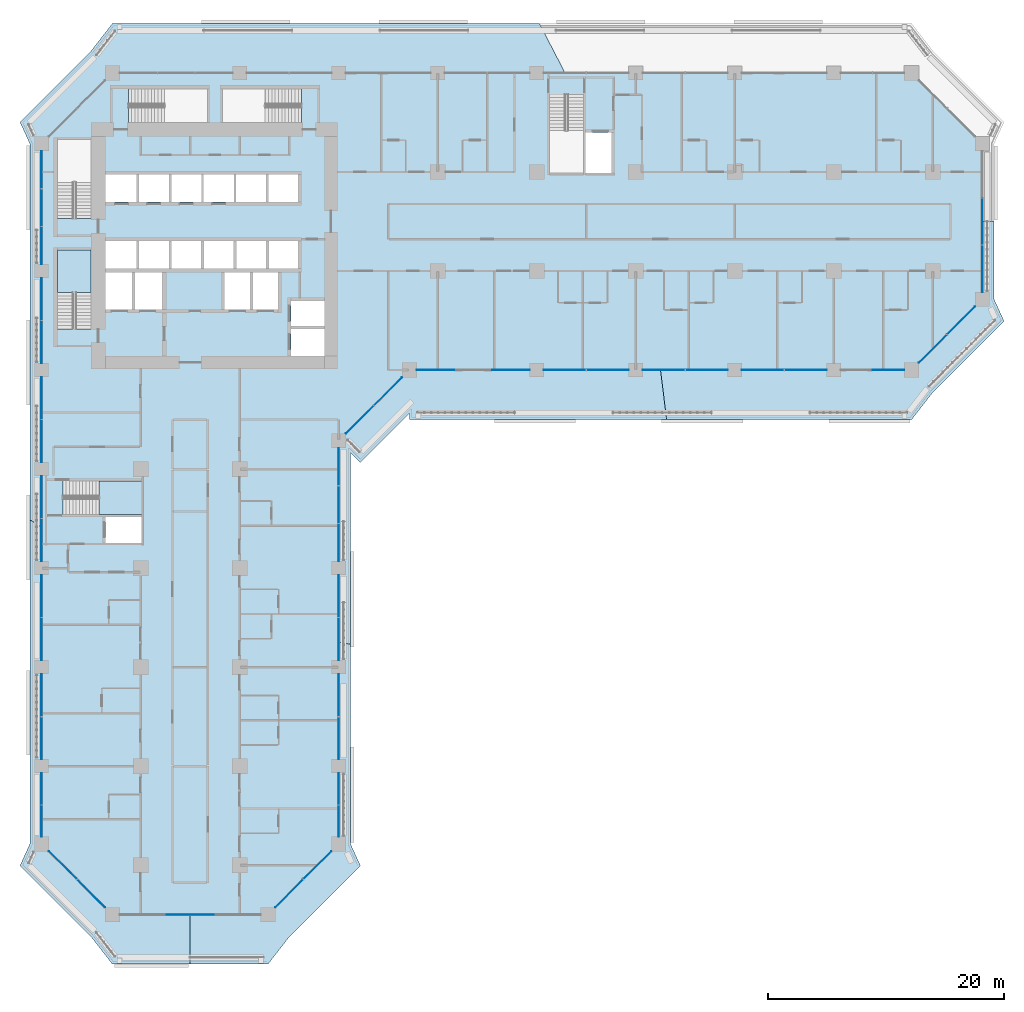
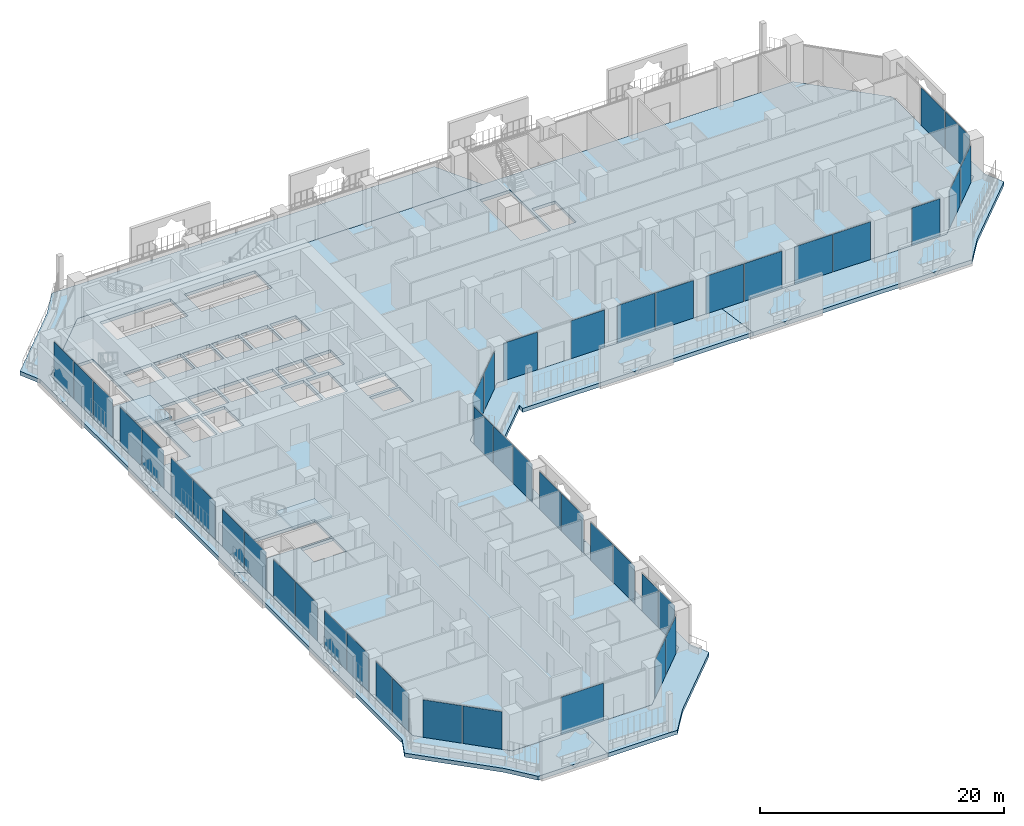
# One storey, part 11 of 28: 44 plates, 8 slabs, 11 elements without a shape of their own.
"""IFC4 building model written with IfcOpenShell, lengths in metres."""

from ifc_helpers import new_model, si_unit, direction, frame, origin, origin_2d, place, context, subcontext, project, spatial, polyline, rectangle, outline, extrude, material, layer, layer_set, type_object, element, aggregate, save


model = new_model("IFC4")

# Units and contexts
model_context = context("Model", 3, precision=1e-05, world=origin(), true_north=direction((0.0, 1.0)))
body_context = subcontext(model_context, "Body", "Model", "MODEL_VIEW")
ifc_project = project(units=[si_unit("LENGTHUNIT", "METRE"), si_unit("AREAUNIT", "SQUARE_METRE"), si_unit("VOLUMEUNIT", "CUBIC_METRE"), si_unit("PLANEANGLEUNIT", "RADIAN"), si_unit("MASSUNIT", "GRAM", prefix="KILO")], contexts=[model_context])

# Site, building, storey
site_placement = place(None, origin())
site = spatial("IfcSite", under=ifc_project, at=site_placement, CompositionType="ELEMENT")
building_placement = place(site_placement, origin())
building = spatial("IfcBuilding", under=site, at=building_placement, Name="Kawkab Arch Medical Tower", CompositionType="ELEMENT")
storey_placement = place(building_placement, frame((0.0, 0.0, 81.199951171875)))
storey = spatial("IfcBuildingStorey", under=building, at=storey_placement, Name="L18", CompositionType="ELEMENT", Elevation=81.199951171875)

# Curtain wall, plates
ifc_material_1 = material(Name="Bronze anodised aluminium curtain wall frame", Category="aluminium")
ifc_layer_1 = layer(ifc_material_1, 0.159912109375)
ifc_layer_set_1 = layer_set([ifc_layer_1], Name="Bronze anodised aluminium curtain wall frame")
curtain_wall_type_1 = type_object("IfcCurtainWallType", Name="CW1 ward curtain wall", PredefinedType="NOTDEFINED", material=ifc_layer_set_1)
placement_1 = place(storey_placement, origin())
curtain_wall_1 = element("IfcCurtainWall", 1, at=placement_1, inside=storey, type_object=curtain_wall_type_1, Name="CW1 Ward curtain wall R01", PredefinedType="NOTDEFINED")
ifc_material_2 = material(Name="Tinted insulating glass, bronze low-e coating", Category="glass")
ifc_layer_2 = layer(ifc_material_2, 0.031982421875)
ifc_layer_set_2 = layer_set([ifc_layer_2], Name="Tinted insulating glass, bronze low-e coating")
plate_type_1 = type_object("IfcPlateType", Name="CW1 glazing unit 32", PredefinedType="CURTAIN_PANEL", material=ifc_layer_set_2)
plate_1_placement = place(storey_placement, frame((0.0, -8.205810546875, 0.0), z_axis=(0.0, 0.0, 1.0), x_axis=(0.0, -1.0, 0.0)))
plate_1 = element("IfcPlate", 2, at=plate_1_placement, type_object=plate_type_1, Name="CW1 glazing unit 1.1", PredefinedType="CURTAIN_PANEL", context=body_context, shape_type="SweptSolid", body=[
    extrude(rectangle(XDim=3.16162109375, YDim=0.031982421875, at=origin_2d()), origin(), (0.0, 0.0, 1.0), 3.780029296875),
])
plate_2_placement = place(storey_placement, frame((0.0, -11.41259765625, 0.0), z_axis=(0.0, 0.0, 1.0), x_axis=(0.0, -1.0, 0.0)))
plate_2 = element("IfcPlate", 3, at=plate_2_placement, type_object=plate_type_1, Name="CW1 glazing unit 1.2", PredefinedType="CURTAIN_PANEL", context=body_context, shape_type="SweptSolid", body=[
    extrude(rectangle(XDim=3.131591796875, YDim=0.031982421875, at=origin_2d()), origin(), (0.0, 0.0, 1.0), 3.780029296875),
])
plate_3_placement = place(storey_placement, frame((0.0, -14.619140625, 0.0), z_axis=(0.0, 0.0, 1.0), x_axis=(0.0, -1.0, 0.0)))
plate_3 = element("IfcPlate", 4, at=plate_3_placement, type_object=plate_type_1, Name="CW1 glazing unit 1.3", PredefinedType="CURTAIN_PANEL", context=body_context, shape_type="SweptSolid", body=[
    extrude(rectangle(XDim=3.16162109375, YDim=0.031982421875, at=origin_2d()), origin(), (0.0, 0.0, 1.0), 3.780029296875),
])
plate_4_placement = place(storey_placement, frame((0.0, -19.18505859375, 0.0), z_axis=(0.0, 0.0, 1.0), x_axis=(0.0, -1.0, 0.0)))
plate_4 = element("IfcPlate", 5, at=plate_4_placement, type_object=plate_type_1, Name="CW1 glazing unit 2.1", PredefinedType="CURTAIN_PANEL", context=body_context, shape_type="SweptSolid", body=[
    extrude(rectangle(XDim=3.570068359375, YDim=0.031982421875, at=origin_2d()), origin(), (0.0, 0.0, 1.0), 3.780029296875),
])
plate_5_placement = place(storey_placement, frame((0.0, -22.81494140625, 0.0), z_axis=(0.0, 0.0, 1.0), x_axis=(0.0, -1.0, 0.0)))
plate_5 = element("IfcPlate", 6, at=plate_5_placement, type_object=plate_type_1, Name="CW1 glazing unit 2.2", PredefinedType="CURTAIN_PANEL", context=body_context, shape_type="SweptSolid", body=[
    extrude(rectangle(XDim=3.570068359375, YDim=0.031982421875, at=origin_2d()), origin(), (0.0, 0.0, 1.0), 3.780029296875),
])
plate_6_placement = place(storey_placement, frame((0.0, -27.5849609375, 0.0), z_axis=(0.0, 0.0, 1.0), x_axis=(0.0, -1.0, 0.0)))
plate_6 = element("IfcPlate", 7, at=plate_6_placement, type_object=plate_type_1, Name="CW1 glazing unit 3.1", PredefinedType="CURTAIN_PANEL", context=body_context, shape_type="SweptSolid", body=[
    extrude(rectangle(XDim=3.570068359375, YDim=0.031982421875, at=origin_2d()), origin(), (0.0, 0.0, 1.0), 3.780029296875),
])
plate_7_placement = place(storey_placement, frame((0.0, -31.215087890625, 0.0), z_axis=(0.0, 0.0, 1.0), x_axis=(0.0, -1.0, 0.0)))
plate_7 = element("IfcPlate", 8, at=plate_7_placement, type_object=plate_type_1, Name="CW1 glazing unit 3.2", PredefinedType="CURTAIN_PANEL", context=body_context, shape_type="SweptSolid", body=[
    extrude(rectangle(XDim=3.570068359375, YDim=0.031982421875, at=origin_2d()), origin(), (0.0, 0.0, 1.0), 3.780029296875),
])
plate_8_placement = place(storey_placement, frame((0.0, -35.985107421875, 0.0), z_axis=(0.0, 0.0, 1.0), x_axis=(0.0, -1.0, 0.0)))
plate_8 = element("IfcPlate", 9, at=plate_8_placement, type_object=plate_type_1, Name="CW1 glazing unit 4.1", PredefinedType="CURTAIN_PANEL", context=body_context, shape_type="SweptSolid", body=[
    extrude(rectangle(XDim=3.570068359375, YDim=0.031982421875, at=origin_2d()), origin(), (0.0, 0.0, 1.0), 3.780029296875),
])
plate_9_placement = place(storey_placement, frame((0.0, -39.614990234375, 0.0), z_axis=(0.0, 0.0, 1.0), x_axis=(0.0, -1.0, 0.0)))
plate_9 = element("IfcPlate", 10, at=plate_9_placement, type_object=plate_type_1, Name="CW1 glazing unit 4.2", PredefinedType="CURTAIN_PANEL", context=body_context, shape_type="SweptSolid", body=[
    extrude(rectangle(XDim=3.570068359375, YDim=0.031982421875, at=origin_2d()), origin(), (0.0, 0.0, 1.0), 3.780029296875),
])
plate_10_placement = place(storey_placement, frame((0.0, -44.385009765625, 0.0), z_axis=(0.0, 0.0, 1.0), x_axis=(0.0, -1.0, 0.0)))
plate_10 = element("IfcPlate", 11, at=plate_10_placement, type_object=plate_type_1, Name="CW1 glazing unit 5.1", PredefinedType="CURTAIN_PANEL", context=body_context, shape_type="SweptSolid", body=[
    extrude(rectangle(XDim=3.570068359375, YDim=0.031982421875, at=origin_2d()), origin(), (0.0, 0.0, 1.0), 3.780029296875),
])
plate_11_placement = place(storey_placement, frame((0.0, -48.014892578125, 0.0), z_axis=(0.0, 0.0, 1.0), x_axis=(0.0, -1.0, 0.0)))
plate_11 = element("IfcPlate", 12, at=plate_11_placement, type_object=plate_type_1, Name="CW1 glazing unit 5.2", PredefinedType="CURTAIN_PANEL", context=body_context, shape_type="SweptSolid", body=[
    extrude(rectangle(XDim=3.570068359375, YDim=0.031982421875, at=origin_2d()), origin(), (0.0, 0.0, 1.0), 3.780029296875),
])
plate_12_placement = place(storey_placement, frame((0.0, -52.784912109375, 0.0), z_axis=(0.0, 0.0, 1.0), x_axis=(0.0, -1.0, 0.0)))
plate_12 = element("IfcPlate", 13, at=plate_12_placement, type_object=plate_type_1, Name="CW1 glazing unit 6.1", PredefinedType="CURTAIN_PANEL", context=body_context, shape_type="SweptSolid", body=[
    extrude(rectangle(XDim=3.570068359375, YDim=0.031982421875, at=origin_2d()), origin(), (0.0, 0.0, 1.0), 3.780029296875),
])
plate_13_placement = place(storey_placement, frame((0.0, -56.4150390625, 0.0), z_axis=(0.0, 0.0, 1.0), x_axis=(0.0, -1.0, 0.0)))
plate_13 = element("IfcPlate", 14, at=plate_13_placement, type_object=plate_type_1, Name="CW1 glazing unit 6.2", PredefinedType="CURTAIN_PANEL", context=body_context, shape_type="SweptSolid", body=[
    extrude(rectangle(XDim=3.570068359375, YDim=0.031982421875, at=origin_2d()), origin(), (0.0, 0.0, 1.0), 3.780029296875),
])
plate_14_placement = place(storey_placement, frame((0.0, -60.728759765625, 0.0), z_axis=(0.0, 0.0, 1.0), x_axis=(0.0, -1.0, 0.0)))
plate_14 = element("IfcPlate", 15, at=plate_14_placement, type_object=plate_type_1, Name="CW1 glazing unit 7.1", PredefinedType="CURTAIN_PANEL", context=body_context, shape_type="SweptSolid", body=[
    extrude(rectangle(XDim=2.657470703125, YDim=0.031982421875, at=origin_2d()), origin(), (0.0, 0.0, 1.0), 3.780029296875),
])
plate_15_placement = place(storey_placement, frame((0.0, -63.4462890625, 0.0), z_axis=(0.0, 0.0, 1.0), x_axis=(0.0, -1.0, 0.0)))
plate_15 = element("IfcPlate", 16, at=plate_15_placement, type_object=plate_type_1, Name="CW1 glazing unit 7.2", PredefinedType="CURTAIN_PANEL", context=body_context, shape_type="SweptSolid", body=[
    extrude(rectangle(XDim=2.657470703125, YDim=0.031982421875, at=origin_2d()), origin(), (0.0, 0.0, 1.0), 3.780029296875),
])
aggregate(curtain_wall_1, [plate_1, plate_2, plate_3, plate_4, plate_5, plate_6, plate_7, plate_8, plate_9, plate_10, plate_11, plate_12, plate_13, plate_14, plate_15])

# Curtain wall, plate
curtain_wall_2 = element("IfcCurtainWall", 17, at=placement_1, inside=storey, type_object=curtain_wall_type_1, Name="CW1 Ward curtain wall R03", PredefinedType="NOTDEFINED")
plate_16_placement = place(storey_placement, frame((12.60009765625, -71.39990234375, 0.0), z_axis=(0.0, 0.0, 1.0), x_axis=(1.0, 0.0, 0.0)))
plate_16 = element("IfcPlate", 18, at=plate_16_placement, type_object=plate_type_1, Name="CW1 glazing unit 1.2", PredefinedType="CURTAIN_PANEL", context=body_context, shape_type="SweptSolid", body=[
    extrude(rectangle(XDim=3.9833984375, YDim=0.031982421875, at=origin_2d()), origin(), (0.0, 0.0, 1.0), 3.780029296875),
])
aggregate(curtain_wall_2, [plate_16])

# Curtain wall, plates
curtain_wall_3 = element("IfcCurtainWall", 19, at=placement_1, inside=storey, type_object=curtain_wall_type_1, Name="CW1 Ward curtain wall R05", PredefinedType="NOTDEFINED")
plate_17_placement = place(storey_placement, frame((25.199951171875, -63.4462890625, 0.0), z_axis=(0.0, 0.0, 1.0), x_axis=(0.0, 1.0, 0.0)))
plate_17 = element("IfcPlate", 20, at=plate_17_placement, type_object=plate_type_1, Name="CW1 glazing unit 1.1", PredefinedType="CURTAIN_PANEL", context=body_context, shape_type="SweptSolid", body=[
    extrude(rectangle(XDim=2.657470703125, YDim=0.031982421875, at=origin_2d()), origin(), (0.0, 0.0, 1.0), 3.780029296875),
])
plate_18_placement = place(storey_placement, frame((25.199951171875, -60.728759765625, 0.0), z_axis=(0.0, 0.0, 1.0), x_axis=(0.0, 1.0, 0.0)))
plate_18 = element("IfcPlate", 21, at=plate_18_placement, type_object=plate_type_1, Name="CW1 glazing unit 1.2", PredefinedType="CURTAIN_PANEL", context=body_context, shape_type="SweptSolid", body=[
    extrude(rectangle(XDim=2.657470703125, YDim=0.031982421875, at=origin_2d()), origin(), (0.0, 0.0, 1.0), 3.780029296875),
])
plate_19_placement = place(storey_placement, frame((25.199951171875, -56.4150390625, 0.0), z_axis=(0.0, 0.0, 1.0), x_axis=(0.0, 1.0, 0.0)))
plate_19 = element("IfcPlate", 22, at=plate_19_placement, type_object=plate_type_1, Name="CW1 glazing unit 2.1", PredefinedType="CURTAIN_PANEL", context=body_context, shape_type="SweptSolid", body=[
    extrude(rectangle(XDim=3.570068359375, YDim=0.031982421875, at=origin_2d()), origin(), (0.0, 0.0, 1.0), 3.780029296875),
])
plate_20_placement = place(storey_placement, frame((25.199951171875, -52.784912109375, 0.0), z_axis=(0.0, 0.0, 1.0), x_axis=(0.0, 1.0, 0.0)))
plate_20 = element("IfcPlate", 23, at=plate_20_placement, type_object=plate_type_1, Name="CW1 glazing unit 2.2", PredefinedType="CURTAIN_PANEL", context=body_context, shape_type="SweptSolid", body=[
    extrude(rectangle(XDim=3.570068359375, YDim=0.031982421875, at=origin_2d()), origin(), (0.0, 0.0, 1.0), 3.780029296875),
])
plate_21_placement = place(storey_placement, frame((25.199951171875, -48.014892578125, 0.0), z_axis=(0.0, 0.0, 1.0), x_axis=(0.0, 1.0, 0.0)))
plate_21 = element("IfcPlate", 24, at=plate_21_placement, type_object=plate_type_1, Name="CW1 glazing unit 3.1", PredefinedType="CURTAIN_PANEL", context=body_context, shape_type="SweptSolid", body=[
    extrude(rectangle(XDim=3.570068359375, YDim=0.031982421875, at=origin_2d()), origin(), (0.0, 0.0, 1.0), 3.780029296875),
])
plate_22_placement = place(storey_placement, frame((25.199951171875, -44.385009765625, 0.0), z_axis=(0.0, 0.0, 1.0), x_axis=(0.0, 1.0, 0.0)))
plate_22 = element("IfcPlate", 25, at=plate_22_placement, type_object=plate_type_1, Name="CW1 glazing unit 3.2", PredefinedType="CURTAIN_PANEL", context=body_context, shape_type="SweptSolid", body=[
    extrude(rectangle(XDim=3.570068359375, YDim=0.031982421875, at=origin_2d()), origin(), (0.0, 0.0, 1.0), 3.780029296875),
])
plate_23_placement = place(storey_placement, frame((25.199951171875, -39.819091796875, 0.0), z_axis=(0.0, 0.0, 1.0), x_axis=(0.0, 1.0, 0.0)))
plate_23 = element("IfcPlate", 26, at=plate_23_placement, type_object=plate_type_1, Name="CW1 glazing unit 4.1", PredefinedType="CURTAIN_PANEL", context=body_context, shape_type="SweptSolid", body=[
    extrude(rectangle(XDim=3.16162109375, YDim=0.031982421875, at=origin_2d()), origin(), (0.0, 0.0, 1.0), 3.780029296875),
])
plate_24_placement = place(storey_placement, frame((25.199951171875, -36.612548828125, 0.0), z_axis=(0.0, 0.0, 1.0), x_axis=(0.0, 1.0, 0.0)))
plate_24 = element("IfcPlate", 27, at=plate_24_placement, type_object=plate_type_1, Name="CW1 glazing unit 4.2", PredefinedType="CURTAIN_PANEL", context=body_context, shape_type="SweptSolid", body=[
    extrude(rectangle(XDim=3.131591796875, YDim=0.031982421875, at=origin_2d()), origin(), (0.0, 0.0, 1.0), 3.780029296875),
])
plate_25_placement = place(storey_placement, frame((25.199951171875, -33.40576171875, 0.0), z_axis=(0.0, 0.0, 1.0), x_axis=(0.0, 1.0, 0.0)))
plate_25 = element("IfcPlate", 28, at=plate_25_placement, type_object=plate_type_1, Name="CW1 glazing unit 4.3", PredefinedType="CURTAIN_PANEL", context=body_context, shape_type="SweptSolid", body=[
    extrude(rectangle(XDim=3.16162109375, YDim=0.031982421875, at=origin_2d()), origin(), (0.0, 0.0, 1.0), 3.780029296875),
])
aggregate(curtain_wall_3, [plate_17, plate_18, plate_19, plate_20, plate_21, plate_22, plate_23, plate_24, plate_25])

curtain_wall_4 = element("IfcCurtainWall", 29, at=placement_1, inside=storey, type_object=curtain_wall_type_1, Name="CW1 Ward curtain wall R07", PredefinedType="NOTDEFINED")
plate_26_placement = place(storey_placement, frame((33.4208984375, -25.199951171875, 0.0), z_axis=(0.0, 0.0, 1.0), x_axis=(1.0, 0.0, 0.0)))
plate_26 = element("IfcPlate", 30, at=plate_26_placement, type_object=plate_type_1, Name="CW1 glazing unit 1.1", PredefinedType="CURTAIN_PANEL", context=body_context, shape_type="SweptSolid", body=[
    extrude(rectangle(XDim=3.191650390625, YDim=0.031982421875, at=origin_2d()), origin(), (0.0, 0.0, 1.0), 3.780029296875),
])
plate_27_placement = place(storey_placement, frame((39.80419921875, -25.199951171875, 0.0), z_axis=(0.0, 0.0, 1.0), x_axis=(1.0, 0.0, 0.0)))
plate_27 = element("IfcPlate", 31, at=plate_27_placement, type_object=plate_type_1, Name="CW1 glazing unit 1.3", PredefinedType="CURTAIN_PANEL", context=body_context, shape_type="SweptSolid", body=[
    extrude(rectangle(XDim=3.191650390625, YDim=0.031982421875, at=origin_2d()), origin(), (0.0, 0.0, 1.0), 3.780029296875),
])
plate_28_placement = place(storey_placement, frame((44.385009765625, -25.199951171875, 0.0), z_axis=(0.0, 0.0, 1.0), x_axis=(1.0, 0.0, 0.0)))
plate_28 = element("IfcPlate", 32, at=plate_28_placement, type_object=plate_type_1, Name="CW1 glazing unit 2.1", PredefinedType="CURTAIN_PANEL", context=body_context, shape_type="SweptSolid", body=[
    extrude(rectangle(XDim=3.570068359375, YDim=0.031982421875, at=origin_2d()), origin(), (0.0, 0.0, 1.0), 3.780029296875),
])
plate_29_placement = place(storey_placement, frame((48.014892578125, -25.199951171875, 0.0), z_axis=(0.0, 0.0, 1.0), x_axis=(1.0, 0.0, 0.0)))
plate_29 = element("IfcPlate", 33, at=plate_29_placement, type_object=plate_type_1, Name="CW1 glazing unit 2.2", PredefinedType="CURTAIN_PANEL", context=body_context, shape_type="SweptSolid", body=[
    extrude(rectangle(XDim=3.570068359375, YDim=0.031982421875, at=origin_2d()), origin(), (0.0, 0.0, 1.0), 3.780029296875),
])
plate_30_placement = place(storey_placement, frame((52.784912109375, -25.199951171875, 0.0), z_axis=(0.0, 0.0, 1.0), x_axis=(1.0, 0.0, 0.0)))
plate_30 = element("IfcPlate", 34, at=plate_30_placement, type_object=plate_type_1, Name="CW1 glazing unit 3.1", PredefinedType="CURTAIN_PANEL", context=body_context, shape_type="SweptSolid", body=[
    extrude(rectangle(XDim=3.570068359375, YDim=0.031982421875, at=origin_2d()), origin(), (0.0, 0.0, 1.0), 3.780029296875),
])
plate_31_placement = place(storey_placement, frame((56.4150390625, -25.199951171875, 0.0), z_axis=(0.0, 0.0, 1.0), x_axis=(1.0, 0.0, 0.0)))
plate_31 = element("IfcPlate", 35, at=plate_31_placement, type_object=plate_type_1, Name="CW1 glazing unit 3.2", PredefinedType="CURTAIN_PANEL", context=body_context, shape_type="SweptSolid", body=[
    extrude(rectangle(XDim=3.570068359375, YDim=0.031982421875, at=origin_2d()), origin(), (0.0, 0.0, 1.0), 3.780029296875),
])
plate_32_placement = place(storey_placement, frame((61.18505859375, -25.199951171875, 0.0), z_axis=(0.0, 0.0, 1.0), x_axis=(1.0, 0.0, 0.0)))
plate_32 = element("IfcPlate", 36, at=plate_32_placement, type_object=plate_type_1, Name="CW1 glazing unit 4.1", PredefinedType="CURTAIN_PANEL", context=body_context, shape_type="SweptSolid", body=[
    extrude(rectangle(XDim=3.570068359375, YDim=0.031982421875, at=origin_2d()), origin(), (0.0, 0.0, 1.0), 3.780029296875),
])
plate_33_placement = place(storey_placement, frame((64.81494140625, -25.199951171875, 0.0), z_axis=(0.0, 0.0, 1.0), x_axis=(1.0, 0.0, 0.0)))
plate_33 = element("IfcPlate", 37, at=plate_33_placement, type_object=plate_type_1, Name="CW1 glazing unit 4.2", PredefinedType="CURTAIN_PANEL", context=body_context, shape_type="SweptSolid", body=[
    extrude(rectangle(XDim=3.570068359375, YDim=0.031982421875, at=origin_2d()), origin(), (0.0, 0.0, 1.0), 3.780029296875),
])
plate_34_placement = place(storey_placement, frame((71.831298828125, -25.199951171875, 0.0), z_axis=(0.0, 0.0, 1.0), x_axis=(1.0, 0.0, 0.0)))
plate_34 = element("IfcPlate", 38, at=plate_34_placement, type_object=plate_type_1, Name="CW1 glazing unit 5.2", PredefinedType="CURTAIN_PANEL", context=body_context, shape_type="SweptSolid", body=[
    extrude(rectangle(XDim=2.6875, YDim=0.031982421875, at=origin_2d()), origin(), (0.0, 0.0, 1.0), 3.780029296875),
])
aggregate(curtain_wall_4, [plate_26, plate_27, plate_28, plate_29, plate_30, plate_31, plate_32, plate_33, plate_34])

curtain_wall_5 = element("IfcCurtainWall", 39, at=placement_1, inside=storey, type_object=curtain_wall_type_1, Name="CW1 Ward curtain wall R09", PredefinedType="NOTDEFINED")
plate_35_placement = place(storey_placement, frame((79.800048828125, -16.598388671875, 0.0), z_axis=(0.0, 0.0, 1.0), x_axis=(0.0, 1.0, 0.0)))
plate_35 = element("IfcPlate", 40, at=plate_35_placement, type_object=plate_type_1, Name="CW1 glazing unit 1.1", PredefinedType="CURTAIN_PANEL", context=body_context, shape_type="SweptSolid", body=[
    extrude(rectangle(XDim=3.953369140625, YDim=0.031982421875, at=origin_2d()), origin(), (0.0, 0.0, 1.0), 3.780029296875),
])
plate_36_placement = place(storey_placement, frame((79.800048828125, -12.60009765625, 0.0), z_axis=(0.0, 0.0, 1.0), x_axis=(0.0, 1.0, 0.0)))
plate_36 = element("IfcPlate", 41, at=plate_36_placement, type_object=plate_type_1, Name="CW1 glazing unit 1.2", PredefinedType="CURTAIN_PANEL", context=body_context, shape_type="SweptSolid", body=[
    extrude(rectangle(XDim=3.92333984375, YDim=0.031982421875, at=origin_2d()), origin(), (0.0, 0.0, 1.0), 3.780029296875),
])
aggregate(curtain_wall_5, [plate_35, plate_36])

ifc_material_3 = material(Name="Bronze anodised aluminium curtain wall frame", Category="aluminium")
ifc_layer_3 = layer(ifc_material_3, 0.159912109375)
ifc_layer_set_3 = layer_set([ifc_layer_3], Name="Bronze anodised aluminium curtain wall frame")
curtain_wall_type_2 = type_object("IfcCurtainWallType", Name="CW2 chamfer curtain wall", PredefinedType="NOTDEFINED", material=ifc_layer_set_3)
curtain_wall_6 = element("IfcCurtainWall", 42, at=placement_1, inside=storey, type_object=curtain_wall_type_2, Name="CW2 Chamfer curtain wall R02", PredefinedType="NOTDEFINED")
ifc_material_4 = material(Name="Tinted insulating glass, bronze low-e coating", Category="glass")
ifc_layer_4 = layer(ifc_material_4, 0.031982421875)
ifc_layer_set_4 = layer_set([ifc_layer_4], Name="Tinted insulating glass, bronze low-e coating")
plate_type_2 = type_object("IfcPlateType", Name="CW2 glazing unit 32", PredefinedType="CURTAIN_PANEL", material=ifc_layer_set_4)
plate_37_placement = place(storey_placement, frame((1.802001953125, -67.201904296875, 0.0), z_axis=(0.0, 0.0, 1.0), x_axis=(0.707106781187, -0.707106781187, 0.0)))
plate_37 = element("IfcPlate", 43, at=plate_37_placement, type_object=plate_type_2, Name="CW2 glazing unit 1.1", PredefinedType="CURTAIN_PANEL", context=body_context, shape_type="SweptSolid", body=[
    extrude(rectangle(XDim=3.328857421875, YDim=0.031982421875, at=origin_2d()), origin(), (0.0, 0.0, 1.0), 3.760009765625),
])
plate_38_placement = place(storey_placement, frame((4.197998046875, -69.59814453125, 0.0), z_axis=(0.0, 0.0, 1.0), x_axis=(0.707106781187, -0.707106781187, 0.0)))
plate_38 = element("IfcPlate", 44, at=plate_38_placement, type_object=plate_type_2, Name="CW2 glazing unit 1.2", PredefinedType="CURTAIN_PANEL", context=body_context, shape_type="SweptSolid", body=[
    extrude(rectangle(XDim=3.328857421875, YDim=0.031982421875, at=origin_2d()), origin(), (0.0, 0.0, 1.0), 3.760009765625),
])
aggregate(curtain_wall_6, [plate_37, plate_38])

curtain_wall_7 = element("IfcCurtainWall", 45, at=placement_1, inside=storey, type_object=curtain_wall_type_2, Name="CW2 Chamfer curtain wall R04", PredefinedType="NOTDEFINED")
plate_39_placement = place(storey_placement, frame((21.001953125, -69.59814453125, 0.0), z_axis=(0.0, 0.0, 1.0), x_axis=(0.707106781187, 0.707106781187, 0.0)))
plate_39 = element("IfcPlate", 46, at=plate_39_placement, type_object=plate_type_2, Name="CW2 glazing unit 1.1", PredefinedType="CURTAIN_PANEL", context=body_context, shape_type="SweptSolid", body=[
    extrude(rectangle(XDim=3.328857421875, YDim=0.031982421875, at=origin_2d()), origin(), (0.0, 0.0, 1.0), 3.760009765625),
])
plate_40_placement = place(storey_placement, frame((23.398193359375, -67.201904296875, 0.0), z_axis=(0.0, 0.0, 1.0), x_axis=(0.707106781187, 0.707106781187, 0.0)))
plate_40 = element("IfcPlate", 47, at=plate_40_placement, type_object=plate_type_2, Name="CW2 glazing unit 1.2", PredefinedType="CURTAIN_PANEL", context=body_context, shape_type="SweptSolid", body=[
    extrude(rectangle(XDim=3.328857421875, YDim=0.031982421875, at=origin_2d()), origin(), (0.0, 0.0, 1.0), 3.760009765625),
])
aggregate(curtain_wall_7, [plate_39, plate_40])

curtain_wall_8 = element("IfcCurtainWall", 48, at=placement_1, inside=storey, type_object=curtain_wall_type_2, Name="CW2 Chamfer curtain wall R06", PredefinedType="NOTDEFINED")
plate_41_placement = place(storey_placement, frame((27.001953125, -29.398193359375, 0.0), z_axis=(0.0, 0.0, 1.0), x_axis=(0.707106781187, 0.707106781187, 0.0)))
plate_41 = element("IfcPlate", 49, at=plate_41_placement, type_object=plate_type_2, Name="CW2 glazing unit 1.1", PredefinedType="CURTAIN_PANEL", context=body_context, shape_type="SweptSolid", body=[
    extrude(rectangle(XDim=3.328857421875, YDim=0.031982421875, at=origin_2d()), origin(), (0.0, 0.0, 1.0), 3.760009765625),
])
plate_42_placement = place(storey_placement, frame((29.398193359375, -27.001953125, 0.0), z_axis=(0.0, 0.0, 1.0), x_axis=(0.707106781187, 0.707106781187, 0.0)))
plate_42 = element("IfcPlate", 50, at=plate_42_placement, type_object=plate_type_2, Name="CW2 glazing unit 1.2", PredefinedType="CURTAIN_PANEL", context=body_context, shape_type="SweptSolid", body=[
    extrude(rectangle(XDim=3.328857421875, YDim=0.031982421875, at=origin_2d()), origin(), (0.0, 0.0, 1.0), 3.760009765625),
])
aggregate(curtain_wall_8, [plate_41, plate_42])

curtain_wall_9 = element("IfcCurtainWall", 51, at=placement_1, inside=storey, type_object=curtain_wall_type_2, Name="CW2 Chamfer curtain wall R08", PredefinedType="NOTDEFINED")
plate_43_placement = place(storey_placement, frame((75.601806640625, -23.398193359375, 0.0), z_axis=(0.0, 0.0, 1.0), x_axis=(0.707106781187, 0.707106781187, 0.0)))
plate_43 = element("IfcPlate", 52, at=plate_43_placement, type_object=plate_type_2, Name="CW2 glazing unit 1.1", PredefinedType="CURTAIN_PANEL", context=body_context, shape_type="SweptSolid", body=[
    extrude(rectangle(XDim=3.328857421875, YDim=0.031982421875, at=origin_2d()), origin(), (0.0, 0.0, 1.0), 3.760009765625),
])
plate_44_placement = place(storey_placement, frame((77.998046875, -21.001953125, 0.0), z_axis=(0.0, 0.0, 1.0), x_axis=(0.707106781187, 0.707106781187, 0.0)))
plate_44 = element("IfcPlate", 53, at=plate_44_placement, type_object=plate_type_2, Name="CW2 glazing unit 1.2", PredefinedType="CURTAIN_PANEL", context=body_context, shape_type="SweptSolid", body=[
    extrude(rectangle(XDim=3.328857421875, YDim=0.031982421875, at=origin_2d()), origin(), (0.0, 0.0, 1.0), 3.760009765625),
])
aggregate(curtain_wall_9, [plate_43, plate_44])

# Stair, slab
ifc_material_5 = material(Name="Concrete C40/50", Category="concrete")
stair_type = type_object("IfcStairType", Name="Exit stair 1350", PredefinedType="HALF_TURN_STAIR", material=ifc_material_5)
stair_1 = element("IfcStair", 54, at=placement_1, inside=storey, type_object=stair_type, Name="L18 Exit stair ST2", PredefinedType="HALF_TURN_STAIR")
ifc_material_6 = material(Name="Concrete C40/50", Category="concrete")
ifc_layer_5 = layer(ifc_material_6, 0.199951171875)
ifc_layer_set_5 = layer_set([ifc_layer_5], Name="Concrete C40/50")
slab_type_1 = type_object("IfcSlabType", Name="Exit stair landing 200", PredefinedType="LANDING", material=ifc_layer_set_5)
placement_2 = place(storey_placement, frame((0.0, 0.0, 1.900146484375)))
slab_1 = element("IfcSlab", 55, at=placement_2, type_object=slab_type_1, Name="ST2 landing 1", PredefinedType="LANDING", context=body_context, shape_type="SweptSolid", body=[
    extrude(outline(polyline([(4.199951171875, -18.6201171875), (4.199951171875, -15.0), (1.35009765625, -15.0), (1.35009765625, -18.6201171875), (4.199951171875, -18.6201171875)])), origin(), (0.0, 0.0, 1.0), 0.199951171875),
])
aggregate(stair_1, [slab_1])

stair_2 = element("IfcStair", 56, at=placement_1, inside=storey, type_object=stair_type, Name="L18 Exit stair ST6", PredefinedType="HALF_TURN_STAIR")
slab_2 = element("IfcSlab", 57, at=placement_2, type_object=slab_type_1, Name="ST6 landing 1", PredefinedType="LANDING", context=body_context, shape_type="SweptSolid", body=[
    extrude(outline(polyline([(4.8798828125, -37.449951171875), (8.5, -37.449951171875), (8.5, -34.60009765625), (4.8798828125, -34.60009765625), (4.8798828125, -37.449951171875)])), origin(), (0.0, 0.0, 1.0), 0.199951171875),
])
aggregate(stair_2, [slab_2])

# Slabs
ifc_material_7 = material(Name="Concrete C40/50", Category="concrete")
ifc_layer_6 = layer(ifc_material_7, 0.300048828125)
ifc_layer_set_6 = layer_set([ifc_layer_6], Name="Concrete C40/50")
slab_type_2 = type_object("IfcSlabType", Name="Flat plate 300 C40/50", PredefinedType="FLOOR", material=ifc_layer_set_6)
slab_3_placement = place(storey_placement, frame((0.0, 0.0, -0.300048828125)))
element("IfcSlab", 58, at=slab_3_placement, inside=storey, type_object=slab_type_2, Name="Floor slab L18", PredefinedType="FLOOR", context=body_context, shape_type="SweptSolid", body=[
    extrude(outline(polyline([(6.0, 0.0), (73.800048828125, 0.0), (79.800048828125, -6.0), (79.800048828125, -19.199951171875), (73.800048828125, -25.199951171875), (31.199951171875, -25.199951171875), (25.199951171875, -31.199951171875), (25.199951171875, -65.39990234375), (19.199951171875, -71.39990234375), (6.0, -71.39990234375), (0.0, -65.39990234375), (0.0, -6.0), (6.0, 0.0)]), holes=[polyline([(5.425048828125, -37.64990234375), (5.425048828125, -39.85009765625), (8.5, -39.85009765625), (8.5, -37.64990234375), (5.425048828125, -37.64990234375)]), polyline([(1.800048828125, -37.449951171875), (8.5, -37.449951171875), (8.5, -34.60009765625), (1.800048828125, -34.60009765625), (1.800048828125, -37.449951171875)]), polyline([(5.39990234375, -16.89990234375), (5.39990234375, -20.050048828125), (7.675048828125, -20.050048828125), (7.675048828125, -16.89990234375), (5.39990234375, -16.89990234375)]), polyline([(10.199951171875, -16.89990234375), (7.925048828125, -16.89990234375), (7.925048828125, -20.050048828125), (10.199951171875, -20.050048828125), (10.199951171875, -16.89990234375)]), polyline([(4.199951171875, -21.699951171875), (4.199951171875, -15.0), (1.35009765625, -15.0), (1.35009765625, -21.699951171875), (4.199951171875, -21.699951171875)]), polyline([(5.39990234375, -14.25), (5.39990234375, -16.60009765625), (8.050048828125, -16.60009765625), (8.050048828125, -14.25), (5.39990234375, -14.25)]), polyline([(8.25, -16.60009765625), (10.800048828125, -16.60009765625), (10.800048828125, -14.25), (8.25, -14.25), (8.25, -16.60009765625)]), polyline([(13.52490234375, -16.60009765625), (13.52490234375, -14.25), (11.0, -14.25), (11.0, -16.60009765625), (13.52490234375, -16.60009765625)]), polyline([(5.39990234375, -8.60009765625), (5.39990234375, -10.949951171875), (8.050048828125, -10.949951171875), (8.050048828125, -8.60009765625), (5.39990234375, -8.60009765625)]), polyline([(8.25, -10.949951171875), (10.800048828125, -10.949951171875), (10.800048828125, -8.60009765625), (8.25, -8.60009765625), (8.25, -10.949951171875)]), polyline([(13.550048828125, -8.60009765625), (11.0, -8.60009765625), (11.0, -10.949951171875), (13.550048828125, -10.949951171875), (13.550048828125, -8.60009765625)]), polyline([(4.199951171875, -12.35009765625), (4.199951171875, -5.64990234375), (1.35009765625, -5.64990234375), (1.35009765625, -12.35009765625), (4.199951171875, -12.35009765625)]), polyline([(7.35009765625, -4.199951171875), (14.050048828125, -4.199951171875), (14.050048828125, -1.35009765625), (7.35009765625, -1.35009765625), (7.35009765625, -4.199951171875)]), polyline([(24.0, -21.72509765625), (21.14990234375, -21.72509765625), (21.14990234375, -24.0), (24.0, -24.0), (24.0, -21.72509765625)]), polyline([(24.0, -21.47509765625), (24.0, -19.35009765625), (21.14990234375, -19.35009765625), (21.14990234375, -21.47509765625), (24.0, -21.47509765625)]), polyline([(17.675048828125, -20.050048828125), (17.675048828125, -16.89990234375), (15.52490234375, -16.89990234375), (15.52490234375, -20.050048828125), (17.675048828125, -20.050048828125)]), polyline([(20.050048828125, -16.89990234375), (17.925048828125, -16.89990234375), (17.925048828125, -20.050048828125), (20.050048828125, -20.050048828125), (20.050048828125, -16.89990234375)]), polyline([(13.77490234375, -16.60009765625), (16.27490234375, -16.60009765625), (16.27490234375, -14.25), (13.77490234375, -14.25), (13.77490234375, -16.60009765625)]), polyline([(16.52490234375, -16.60009765625), (19.02490234375, -16.60009765625), (19.02490234375, -14.25), (16.52490234375, -14.25), (16.52490234375, -16.60009765625)]), polyline([(21.75, -14.25), (19.27490234375, -14.25), (19.27490234375, -16.60009765625), (21.75, -16.60009765625), (21.75, -14.25)]), polyline([(16.300048828125, -10.949951171875), (16.300048828125, -8.60009765625), (13.75, -8.60009765625), (13.75, -10.949951171875), (16.300048828125, -10.949951171875)]), polyline([(19.050048828125, -10.949951171875), (19.050048828125, -8.60009765625), (16.5, -8.60009765625), (16.5, -10.949951171875), (19.050048828125, -10.949951171875)]), polyline([(21.75, -8.60009765625), (19.25, -8.60009765625), (19.25, -10.949951171875), (21.75, -10.949951171875), (21.75, -8.60009765625)]), polyline([(46.14990234375, -5.02490234375), (46.14990234375, -8.5), (48.35009765625, -8.5), (48.35009765625, -5.02490234375), (46.14990234375, -5.02490234375)]), polyline([(43.10009765625, -1.800048828125), (43.10009765625, -8.5), (45.949951171875, -8.5), (45.949951171875, -1.800048828125), (43.10009765625, -1.800048828125)]), polyline([(22.050048828125, -1.35009765625), (15.35009765625, -1.35009765625), (15.35009765625, -4.199951171875), (22.050048828125, -4.199951171875), (22.050048828125, -1.35009765625)])]), origin(), (0.0, 0.0, 1.0), 0.300048828125),
])
ifc_material_8 = material(Name="Concrete C40/50", Category="concrete")
ifc_layer_7 = layer(ifc_material_8, 0.39990234375)
ifc_layer_set_7 = layer_set([ifc_layer_7], Name="Concrete C40/50")
slab_type_3 = type_object("IfcSlabType", Name="Loggia slab 400", PredefinedType="FLOOR", material=ifc_layer_set_7)
placement_3 = place(storey_placement, frame((0.0, 0.0, -0.39990234375)))
element("IfcSlab", 59, at=placement_3, inside=storey, type_object=slab_type_3, Name="Loggia slab L18.1", PredefinedType="FLOOR", context=body_context, shape_type="SweptSolid", body=[
    extrude(outline(polyline([(12.60009765625, -75.60009765625), (12.60009765625, -71.40087890625), (19.199951171875, -71.40087890625), (19.199951171875, -71.39990234375), (25.199951171875, -65.39990234375), (25.199951171875, -48.300048828125), (26.199951171875, -48.449951171875), (26.199951171875, -65.39990234375), (27.0380859375, -67.238037109375), (21.0380859375, -73.238037109375), (19.199951171875, -75.60009765625), (12.60009765625, -75.60009765625)])), origin(), (0.0, 0.0, 1.0), 0.39990234375),
])
element("IfcSlab", 60, at=placement_3, inside=storey, type_object=slab_type_3, Name="Loggia slab L18.2", PredefinedType="FLOOR", context=body_context, shape_type="SweptSolid", body=[
    extrude(outline(polyline([(4.162109375, -73.238037109375), (-1.837890625, -67.238037109375), (-1.0, -65.39990234375), (-1.0, -37.89501953125), (-0.0009765625, -38.52001953125), (-0.0009765625, -65.39990234375), (0.0, -65.39990234375), (6.0, -71.39990234375), (6.0, -71.40087890625), (12.60009765625, -71.40087890625), (12.60009765625, -75.60009765625), (6.0, -75.60009765625), (4.162109375, -73.238037109375)])), origin(), (0.0, 0.0, 1.0), 0.39990234375),
])
element("IfcSlab", 61, at=placement_3, inside=storey, type_object=slab_type_3, Name="Loggia slab L18.3", PredefinedType="FLOOR", context=body_context, shape_type="SweptSolid", body=[
    extrude(outline(polyline([(31.199951171875, -28.8759765625), (27.0380859375, -33.037109375), (26.199951171875, -32.198974609375), (26.199951171875, -48.448974609375), (25.199951171875, -48.300048828125), (25.199951171875, -31.199951171875), (31.199951171875, -25.199951171875), (52.5, -25.199951171875), (53.01806640625, -29.39990234375), (31.199951171875, -29.39990234375), (31.199951171875, -28.8759765625)])), origin(), (0.0, 0.0, 1.0), 0.39990234375),
])
element("IfcSlab", 62, at=placement_3, inside=storey, type_object=slab_type_3, Name="Loggia slab L18.4", PredefinedType="FLOOR", context=body_context, shape_type="SweptSolid", body=[
    extrude(outline(polyline([(81.637939453125, -21.0380859375), (75.637939453125, -27.0380859375), (73.800048828125, -29.39990234375), (53.01904296875, -29.39990234375), (52.5, -25.199951171875), (73.800048828125, -25.199951171875), (79.800048828125, -19.199951171875), (79.800048828125, -12.60009765625), (80.800048828125, -12.60009765625), (80.800048828125, -19.199951171875), (81.637939453125, -21.0380859375)])), origin(), (0.0, 0.0, 1.0), 0.39990234375),
])
element("IfcSlab", 63, at=placement_3, inside=storey, type_object=slab_type_3, Name="Loggia slab L18.5", PredefinedType="FLOOR", context=body_context, shape_type="SweptSolid", body=[
    extrude(outline(polyline([(4.162109375, 1.837890625), (6.0, 4.199951171875), (35.39990234375, 4.199951171875), (42.23291015625, 4.199951171875), (44.409912109375, 0.0009765625), (31.200927734375, 0.0009765625), (6.0, 0.0009765625), (6.0, 0.0), (0.0, -6.0), (-0.0009765625, -6.0), (-0.0009765625, -38.52001953125), (-1.0, -37.89404296875), (-1.0, -6.0), (-1.837890625, -4.162109375), (4.162109375, 1.837890625)])), origin(), (0.0, 0.0, 1.0), 0.39990234375),
])

save(model, "model.ifc")
